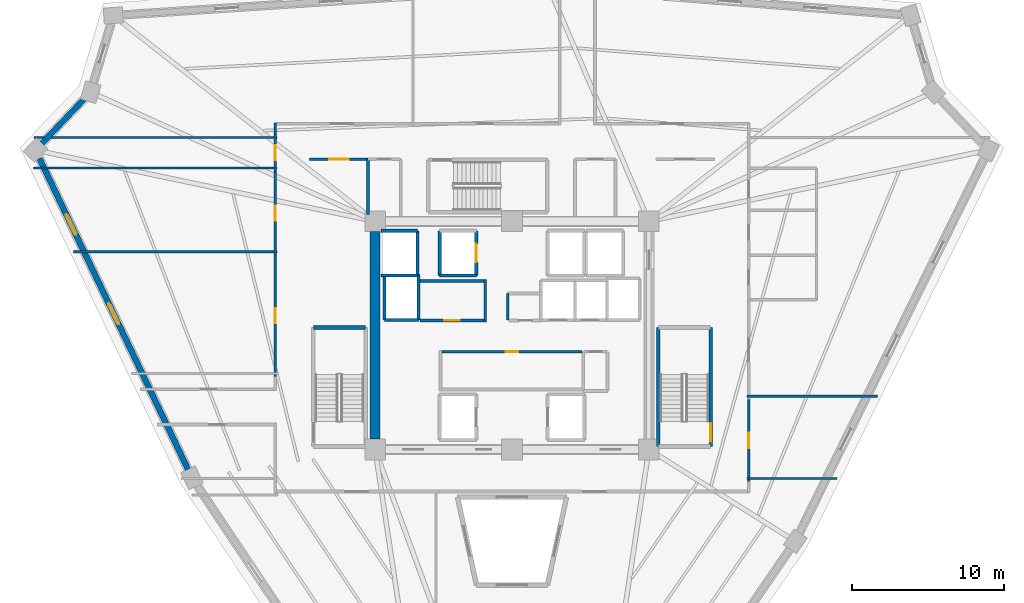
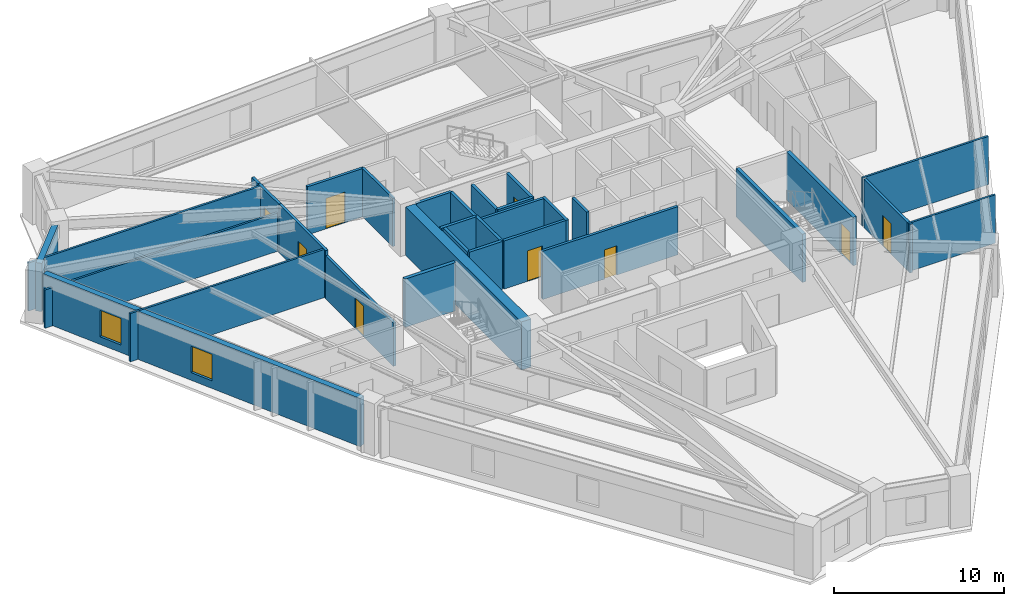
# One storey, part 4 of 8: 32 walls, 9 doors, 2 windows, 11 openings.
"""IFC4 building model written with IfcOpenShell, lengths in metres."""

from ifc_helpers import new_model, si_unit, direction, frame, frame_2d, origin, place, context, subcontext, project, spatial, rectangle, extrude, source, transform, mapped, material, layer, layer_set, type_object, element, fill, save


model = new_model("IFC4")

# Units and contexts
model_context = context("Model", 3, precision=1e-05, world=origin(), true_north=direction((0.0, 1.0)))
body_context = subcontext(model_context, "Body", "Model", "MODEL_VIEW")
ifc_project = project(units=[si_unit("LENGTHUNIT", "METRE"), si_unit("AREAUNIT", "SQUARE_METRE"), si_unit("VOLUMEUNIT", "CUBIC_METRE"), si_unit("PLANEANGLEUNIT", "RADIAN"), si_unit("MASSUNIT", "GRAM", prefix="KILO")], contexts=[model_context])

# Site, building, storey
site_placement = place(None, origin())
site = spatial("IfcSite", under=ifc_project, at=site_placement, CompositionType="ELEMENT")
building_placement = place(site_placement, origin())
building = spatial("IfcBuilding", under=site, at=building_placement, Name="Liaohun Quay Tower", CompositionType="ELEMENT")
storey_placement = place(building_placement, frame((0.0, 0.0, 273.75)))
storey = spatial("IfcBuildingStorey", under=building, at=storey_placement, Name="L71", CompositionType="ELEMENT", Elevation=273.75)

# Walls
ifc_material_1 = material(Name="Concrete C55", Category="concrete")
ifc_layer_1 = layer(ifc_material_1, 0.64990234375, Name="Concrete C55", Category="concrete")
ifc_layer_set_1 = layer_set([ifc_layer_1], Name="Concrete C55")
wall_type_1 = type_object("IfcWallType", Name="WAL-COR-Z3", PredefinedType="SHEAR", material=ifc_layer_set_1)
wall_1_placement = place(storey_placement, frame((51.0, 47.175048828125, 0.0), z_axis=(0.0, 0.0, 1.0), x_axis=(0.0, 1.0, 0.0)))
element("IfcWall", 1, at=wall_1_placement, inside=storey, type_object=wall_type_1, Name="L71 Central Core Shear Wall W", PredefinedType="SHEAR", context=body_context, shape_type="SweptSolid", body=[
    extrude(rectangle(XDim=13.64990234375, YDim=0.64990234375, at=frame_2d((6.824951171875, 0.0))), origin(), (0.0, 0.0, 1.0), 3.469970703125),
])
ifc_material_2 = material(Name="Precast concrete C50 insulated sandwich", Category="concrete")
ifc_layer_2 = layer(ifc_material_2, 0.3798828125, Name="Precast concrete C50 insulated sandwich", Category="concrete")
ifc_layer_set_2 = layer_set([ifc_layer_2], Name="Precast concrete C50 insulated sandwich")
wall_type_2 = type_object("IfcWallType", Name="WAL-EXT-Z34", PredefinedType="SOLIDWALL", material=ifc_layer_set_2)
wall_2_placement = place(storey_placement, frame((31.8779296875, 69.5458984375, 0.0), z_axis=(0.0, 0.0, 1.0), x_axis=(-0.689423828673, -0.724358187955, 0.0)))
element("IfcWall", 2, at=wall_2_placement, inside=storey, type_object=wall_type_2, Name="L71 Brutalist Precast Pier Wall 09", PredefinedType="SOLIDWALL", context=body_context, shape_type="SweptSolid", body=[
    extrude(rectangle(XDim=4.032470703125, YDim=0.3798828125, at=frame_2d((2.01611328125, 0.0))), origin(), (0.0, 0.0, 1.0), 3.469970703125),
])

# Wall, openings, windows
wall_3_placement = place(storey_placement, frame((28.93896484375, 65.6240234375, 0.0), z_axis=(0.0, 0.0, 1.0), x_axis=(0.431066278959, -0.902320266393, 0.0)))
wall_3 = element("IfcWall", 3, at=wall_3_placement, inside=storey, type_object=wall_type_2, Name="L71 Brutalist Precast Pier Wall 10", PredefinedType="SOLIDWALL", context=body_context, shape_type="SweptSolid", body=[
    extrude(rectangle(XDim=22.6416015625, YDim=0.3798828125, at=frame_2d((11.32080078125, 0.0))), origin(), (0.0, 0.0, 1.0), 3.469970703125),
])
shared_shape_1 = source(origin(), body_context, "Body", "SweptSolid", [
    extrude(rectangle(XDim=1.5, YDim=1.89990234375, at=frame_2d((0.75, 0.949951171875))), frame((0.0, 0.199951171875, 0.0), z_axis=(0.0, -1.0, 0.0), x_axis=(1.0, 0.0, 0.0)), (0.0, 0.0, 1.0), 0.39990234375),
])
opening_1_placement = place(wall_3_placement, frame((4.06005859375, 0.0, 0.550048828125)))
opening_1 = element("IfcOpeningElement", 4, at=opening_1_placement, cuts=wall_3, Name="Opening W03", PredefinedType="OPENING", context=body_context, shape_type="MappedRepresentation", body=[
    mapped(shared_shape_1, transform((0.0, 0.0, 0.0), x_axis=(1.0, 0.0, 0.0), y_axis=(0.0, 1.0, 0.0), z_axis=(0.0, 0.0, 1.0), scale=1.0)),
])
opening_2_placement = place(wall_3_placement, frame((10.571044921875, 0.0, 0.550048828125)))
opening_2 = element("IfcOpeningElement", 5, at=opening_2_placement, cuts=wall_3, Name="Opening W03", PredefinedType="OPENING", context=body_context, shape_type="MappedRepresentation", body=[
    mapped(shared_shape_1, transform((0.0, 0.0, 0.0), x_axis=(1.0, 0.0, 0.0), y_axis=(0.0, 1.0, 0.0), z_axis=(0.0, 0.0, 1.0), scale=1.0)),
])
ifc_material_3 = material(Name="Triple Low-E argon glazing in thermally broken aluminium", Category="aluminium")
window_type = type_object("IfcWindowType", Name="WIN-PUN-Z3", PartitioningType="DOUBLE_PANEL_VERTICAL", PredefinedType="WINDOW", material=ifc_material_3)
shared_shape_2 = source(origin(), body_context, "Body", "SweptSolid", [
    extrude(rectangle(XDim=1.5, YDim=1.89990234375, at=frame_2d((0.75, 0.949951171875))), frame((0.0, 0.030029296875, 0.0), z_axis=(0.0, -1.0, 0.0), x_axis=(1.0, 0.0, 0.0)), (0.0, 0.0, 1.0), 0.06005859375),
])
window_1_placement = place(opening_1_placement, origin())
window_1 = element("IfcWindow", 6, at=window_1_placement, inside=storey, type_object=window_type, Name="L71 Recessed Cold-Climate Punched Window 10-1", OverallHeight=1.89990234375, OverallWidth=1.5, PartitioningType="DOUBLE_PANEL_VERTICAL", PredefinedType="WINDOW", context=body_context, shape_type="MappedRepresentation", body=[
    mapped(shared_shape_2, transform((0.0, 0.0, 0.0), x_axis=(1.0, 0.0, 0.0), y_axis=(0.0, 1.0, 0.0), z_axis=(0.0, 0.0, 1.0), scale=1.0)),
])
fill(opening_1, window_1)
window_2_placement = place(opening_2_placement, origin())
window_2 = element("IfcWindow", 7, at=window_2_placement, inside=storey, type_object=window_type, Name="L71 Recessed Cold-Climate Punched Window 10-2", OverallHeight=1.89990234375, OverallWidth=1.5, PartitioningType="DOUBLE_PANEL_VERTICAL", PredefinedType="WINDOW", context=body_context, shape_type="MappedRepresentation", body=[
    mapped(shared_shape_2, transform((0.0, 0.0, 0.0), x_axis=(1.0, 0.0, 0.0), y_axis=(0.0, 1.0, 0.0), z_axis=(0.0, 0.0, 1.0), scale=1.0)),
])
fill(opening_2, window_2)

# Wall, opening, door
ifc_material_4 = material(Name="Autoclaved aerated concrete blockwork", Category="masonry")
ifc_layer_3 = layer(ifc_material_4, 0.179931640625, Name="Autoclaved aerated concrete blockwork", Category="masonry")
ifc_layer_set_3 = layer_set([ifc_layer_3], Name="Autoclaved aerated concrete blockwork")
wall_type_3 = type_object("IfcWallType", Name="WAL-PRT-COR", PredefinedType="PARTITIONING", material=ifc_layer_set_3)
wall_4_placement = place(storey_placement, frame((55.389892578125, 52.919921875, 0.0), z_axis=(0.0, 0.0, 1.0), x_axis=(1.0, 0.0, 0.0)))
wall_4 = element("IfcWall", 8, at=wall_4_placement, inside=storey, type_object=wall_type_3, Name="L71 Interior Partition Wall 001", PredefinedType="PARTITIONING", context=body_context, shape_type="SweptSolid", body=[
    extrude(rectangle(XDim=9.210205078125, YDim=0.179931640625, at=frame_2d((4.60498046875, 0.0))), origin(), (0.0, 0.0, 1.0), 3.469970703125),
])
shared_shape_3 = source(origin(), body_context, "Body", "SweptSolid", [
    extrude(rectangle(XDim=0.85009765625, YDim=2.10009765625, at=frame_2d((0.425048828125, 1.050048828125))), frame((0.0, 0.099853515625, 0.0), z_axis=(0.0, -1.0, 0.0), x_axis=(1.0, 0.0, 0.0)), (0.0, 0.0, 1.0), 0.199951171875),
])
opening_3_placement = place(wall_4_placement, frame((4.18505859375, 0.0, 0.0)))
opening_3 = element("IfcOpeningElement", 9, at=opening_3_placement, cuts=wall_4, Name="Opening AD1", PredefinedType="OPENING", context=body_context, shape_type="MappedRepresentation", body=[
    mapped(shared_shape_3, transform((0.0, 0.0, 0.0), x_axis=(1.0, 0.0, 0.0), y_axis=(0.0, 1.0, 0.0), z_axis=(0.0, 0.0, 1.0), scale=1.0)),
])
ifc_material_5 = material(Name="Steel riser inspection fire door", Category="steel")
door_type_1 = type_object("IfcDoorType", Name="DOR-SHF-850", OperationType="NOTDEFINED", PredefinedType="DOOR", material=ifc_material_5)
shared_shape_4 = source(origin(), body_context, "Body", "SweptSolid", [
    extrude(rectangle(XDim=0.85009765625, YDim=2.10009765625, at=frame_2d((0.425048828125, 1.050048828125))), frame((0.0, 0.02490234375, 0.0), z_axis=(0.0, -1.0, 0.0), x_axis=(1.0, 0.0, 0.0)), (0.0, 0.0, 1.0), 0.050048828125),
])
door_1_placement = place(opening_3_placement, origin())
door_1 = element("IfcDoor", 10, at=door_1_placement, inside=storey, type_object=door_type_1, Name="L71 Core Tenant Storage and Archive Room Door", OperationType="SINGLE_SWING_RIGHT", OverallHeight=2.10009765625, OverallWidth=0.85009765625, PredefinedType="DOOR", context=body_context, shape_type="MappedRepresentation", body=[
    mapped(shared_shape_4, transform((0.0, 0.0, 0.0), x_axis=(1.0, 0.0, 0.0), y_axis=(0.0, 1.0, 0.0), z_axis=(0.0, 0.0, 1.0), scale=1.0)),
])
fill(opening_3, door_1)

wall_5_placement = place(storey_placement, frame((53.949951171875, 54.97998046875, 0.0), z_axis=(0.0, 0.0, 1.0), x_axis=(1.0, 0.0, 0.0)))
wall_5 = element("IfcWall", 11, at=wall_5_placement, inside=storey, type_object=wall_type_3, Name="L71 Interior Partition Wall 002", PredefinedType="PARTITIONING", context=body_context, shape_type="SweptSolid", body=[
    extrude(rectangle(XDim=4.2099609375, YDim=0.179931640625, at=frame_2d((2.10498046875, 0.0))), origin(), (0.0, 0.0, 1.0), 3.469970703125),
])
shared_shape_5 = source(origin(), body_context, "Body", "SweptSolid", [
    extrude(rectangle(XDim=1.0, YDim=2.199951171875, at=frame_2d((0.5, 1.10009765625))), frame((0.0, 0.099853515625, 0.0), z_axis=(0.0, -1.0, 0.0), x_axis=(1.0, 0.0, 0.0)), (0.0, 0.0, 1.0), 0.199951171875),
])
opening_4_placement = place(wall_5_placement, frame((1.60009765625, 0.0, 0.0)))
opening_4 = element("IfcOpeningElement", 12, at=opening_4_placement, cuts=wall_5, Name="Opening OD1", PredefinedType="OPENING", context=body_context, shape_type="MappedRepresentation", body=[
    mapped(shared_shape_5, transform((0.0, 0.0, 0.0), x_axis=(1.0, 0.0, 0.0), y_axis=(0.0, 1.0, 0.0), z_axis=(0.0, 0.0, 1.0), scale=1.0)),
])
ifc_material_6 = material(Name="Solid-core oak veneer timber leaf in steel frame", Category="steel")
door_type_2 = type_object("IfcDoorType", Name="DOR-OFF-1000", OperationType="NOTDEFINED", PredefinedType="DOOR", material=ifc_material_6)
shared_shape_6 = source(origin(), body_context, "Body", "SweptSolid", [
    extrude(rectangle(XDim=1.0, YDim=2.199951171875, at=frame_2d((0.5, 1.10009765625))), frame((0.0, 0.02490234375, 0.0), z_axis=(0.0, -1.0, 0.0), x_axis=(1.0, 0.0, 0.0)), (0.0, 0.0, 1.0), 0.050048828125),
])
door_2_placement = place(opening_4_placement, origin())
door_2 = element("IfcDoor", 13, at=door_2_placement, inside=storey, type_object=door_type_2, Name="L71 Core Staff Pantry and Tea Room Door", OperationType="SINGLE_SWING_LEFT", OverallHeight=2.199951171875, OverallWidth=1.0, PredefinedType="DOOR", context=body_context, shape_type="MappedRepresentation", body=[
    mapped(shared_shape_6, transform((0.0, 0.0, 0.0), x_axis=(1.0, 0.0, 0.0), y_axis=(0.0, 1.0, 0.0), z_axis=(0.0, 0.0, 1.0), scale=1.0)),
])
fill(opening_4, door_2)

wall_6_placement = place(storey_placement, frame((46.699951171875, 65.580078125, 0.0), z_axis=(0.0, 0.0, 1.0), x_axis=(1.0, 0.0, 0.0)))
wall_6 = element("IfcWall", 14, at=wall_6_placement, inside=storey, type_object=wall_type_3, Name="L71 Interior Partition Wall 010", PredefinedType="PARTITIONING", context=body_context, shape_type="SweptSolid", body=[
    extrude(rectangle(XDim=3.840087890625, YDim=0.179931640625, at=frame_2d((1.919921875, 0.0))), origin(), (0.0, 0.0, 1.0), 3.469970703125),
])
shared_shape_7 = source(origin(), body_context, "Body", "SweptSolid", [
    extrude(rectangle(XDim=1.300048828125, YDim=2.199951171875, at=frame_2d((0.64990234375, 1.10009765625))), frame((0.0, 0.099853515625, 0.0), z_axis=(0.0, -1.0, 0.0), x_axis=(1.0, 0.0, 0.0)), (0.0, 0.0, 1.0), 0.199951171875),
])
opening_5_placement = place(wall_6_placement, frame((1.27001953125, 0.0, 0.0)))
opening_5 = element("IfcOpeningElement", 15, at=opening_5_placement, cuts=wall_6, Name="Opening FD1", PredefinedType="OPENING", context=body_context, shape_type="MappedRepresentation", body=[
    mapped(shared_shape_7, transform((0.0, 0.0, 0.0), x_axis=(1.0, 0.0, 0.0), y_axis=(0.0, 1.0, 0.0), z_axis=(0.0, 0.0, 1.0), scale=1.0)),
])
ifc_material_7 = material(Name="Galvanised steel smokeproof fire door", Category="steel")
door_type_3 = type_object("IfcDoorType", Name="DOR-FFL-1300", OperationType="NOTDEFINED", PredefinedType="DOOR", material=ifc_material_7)
shared_shape_8 = source(origin(), body_context, "Body", "SweptSolid", [
    extrude(rectangle(XDim=1.300048828125, YDim=2.199951171875, at=frame_2d((0.64990234375, 1.10009765625))), frame((0.0, 0.02490234375, 0.0), z_axis=(0.0, -1.0, 0.0), x_axis=(1.0, 0.0, 0.0)), (0.0, 0.0, 1.0), 0.050048828125),
])
door_3_placement = place(opening_5_placement, origin())
door_3 = element("IfcDoor", 16, at=door_3_placement, inside=storey, type_object=door_type_3, Name="L71 West Core Vestibule Door", OperationType="SINGLE_SWING_LEFT", OverallHeight=2.199951171875, OverallWidth=1.300048828125, PredefinedType="DOOR", context=body_context, shape_type="MappedRepresentation", body=[
    mapped(shared_shape_8, transform((0.0, 0.0, 0.0), x_axis=(1.0, 0.0, 0.0), y_axis=(0.0, 1.0, 0.0), z_axis=(0.0, 0.0, 1.0), scale=1.0)),
])
fill(opening_5, door_3)

wall_7_placement = place(storey_placement, frame((44.43994140625, 64.784912109375, 0.0), z_axis=(0.0, 0.0, 1.0), x_axis=(0.0, 1.0, 0.0)))
wall_7 = element("IfcWall", 17, at=wall_7_placement, inside=storey, type_object=wall_type_3, Name="L71 Interior Partition Wall 016", PredefinedType="PARTITIONING", context=body_context, shape_type="SweptSolid", body=[
    extrude(rectangle(XDim=2.43017578125, YDim=0.179931640625, at=frame_2d((1.215087890625, 0.0))), origin(), (0.0, 0.0, 1.0), 3.469970703125),
])
opening_6_placement = place(wall_7_placement, frame((0.715087890625, 0.0, 0.0)))
opening_6 = element("IfcOpeningElement", 18, at=opening_6_placement, cuts=wall_7, Name="Opening OD1", PredefinedType="OPENING", context=body_context, shape_type="MappedRepresentation", body=[
    mapped(shared_shape_5, transform((0.0, 0.0, 0.0), x_axis=(1.0, 0.0, 0.0), y_axis=(0.0, 1.0, 0.0), z_axis=(0.0, 0.0, 1.0), scale=1.0)),
])
door_4_placement = place(opening_6_placement, origin())
door_4 = element("IfcDoor", 19, at=door_4_placement, inside=storey, type_object=door_type_2, Name="L71 Corporate Exhibition Gallery 05 Door", OperationType="SINGLE_SWING_LEFT", OverallHeight=2.199951171875, OverallWidth=1.0, PredefinedType="DOOR", context=body_context, shape_type="MappedRepresentation", body=[
    mapped(shared_shape_6, transform((0.0, 0.0, 0.0), x_axis=(1.0, 0.0, 0.0), y_axis=(0.0, 1.0, 0.0), z_axis=(0.0, 0.0, 1.0), scale=1.0)),
])
fill(opening_6, door_4)

wall_8_placement = place(storey_placement, frame((44.43994140625, 59.284912109375, 0.0), z_axis=(0.0, 0.0, 1.0), x_axis=(0.0, 1.0, 0.0)))
wall_8 = element("IfcWall", 20, at=wall_8_placement, inside=storey, type_object=wall_type_3, Name="L71 Interior Partition Wall 017", PredefinedType="PARTITIONING", context=body_context, shape_type="SweptSolid", body=[
    extrude(rectangle(XDim=5.5, YDim=0.179931640625, at=frame_2d((2.75, 0.0))), origin(), (0.0, 0.0, 1.0), 3.469970703125),
])
opening_7_placement = place(wall_8_placement, frame((2.25, 0.0, 0.0)))
opening_7 = element("IfcOpeningElement", 21, at=opening_7_placement, cuts=wall_8, Name="Opening OD1", PredefinedType="OPENING", context=body_context, shape_type="MappedRepresentation", body=[
    mapped(shared_shape_5, transform((0.0, 0.0, 0.0), x_axis=(1.0, 0.0, 0.0), y_axis=(0.0, 1.0, 0.0), z_axis=(0.0, 0.0, 1.0), scale=1.0)),
])
door_5_placement = place(opening_7_placement, origin())
door_5 = element("IfcDoor", 22, at=door_5_placement, inside=storey, type_object=door_type_2, Name="L71 Staff Tea Kitchen and Pantry 06 Door", OperationType="SINGLE_SWING_RIGHT", OverallHeight=2.199951171875, OverallWidth=1.0, PredefinedType="DOOR", context=body_context, shape_type="MappedRepresentation", body=[
    mapped(shared_shape_6, transform((0.0, 0.0, 0.0), x_axis=(1.0, 0.0, 0.0), y_axis=(0.0, 1.0, 0.0), z_axis=(0.0, 0.0, 1.0), scale=1.0)),
])
fill(opening_7, door_5)

wall_9_placement = place(storey_placement, frame((44.43994140625, 51.284912109375, 0.0), z_axis=(0.0, 0.0, 1.0), x_axis=(0.0, 1.0, 0.0)))
wall_9 = element("IfcWall", 23, at=wall_9_placement, inside=storey, type_object=wall_type_3, Name="L71 Interior Partition Wall 018", PredefinedType="PARTITIONING", context=body_context, shape_type="SweptSolid", body=[
    extrude(rectangle(XDim=8.0, YDim=0.179931640625, at=frame_2d((4.0, 0.0))), origin(), (0.0, 0.0, 1.0), 3.10498046875),
])
opening_8_placement = place(wall_9_placement, frame((3.5, 0.0, 0.0)))
opening_8 = element("IfcOpeningElement", 24, at=opening_8_placement, cuts=wall_9, Name="Opening OD1", PredefinedType="OPENING", context=body_context, shape_type="MappedRepresentation", body=[
    mapped(shared_shape_5, transform((0.0, 0.0, 0.0), x_axis=(1.0, 0.0, 0.0), y_axis=(0.0, 1.0, 0.0), z_axis=(0.0, 0.0, 1.0), scale=1.0)),
])
door_6_placement = place(opening_8_placement, origin())
door_6 = element("IfcDoor", 25, at=door_6_placement, inside=storey, type_object=door_type_2, Name="L71 Digital Prototyping Laboratory 07 Door", OperationType="SINGLE_SWING_LEFT", OverallHeight=2.199951171875, OverallWidth=1.0, PredefinedType="DOOR", context=body_context, shape_type="MappedRepresentation", body=[
    mapped(shared_shape_6, transform((0.0, 0.0, 0.0), x_axis=(1.0, 0.0, 0.0), y_axis=(0.0, 1.0, 0.0), z_axis=(0.0, 0.0, 1.0), scale=1.0)),
])
fill(opening_8, door_6)

wall_10_placement = place(storey_placement, frame((75.56005859375, 49.784912109375, 0.0), z_axis=(0.0, 0.0, 1.0), x_axis=(0.0, -1.0, 0.0)))
wall_10 = element("IfcWall", 26, at=wall_10_placement, inside=storey, type_object=wall_type_3, Name="L71 Interior Partition Wall 023", PredefinedType="PARTITIONING", context=body_context, shape_type="SweptSolid", body=[
    extrude(rectangle(XDim=5.39990234375, YDim=0.179931640625, at=frame_2d((2.699951171875, 0.0))), origin(), (0.0, 0.0, 1.0), 3.469970703125),
])
opening_9_placement = place(wall_10_placement, frame((2.199951171875, 0.0, 0.0)))
opening_9 = element("IfcOpeningElement", 27, at=opening_9_placement, cuts=wall_10, Name="Opening OD1", PredefinedType="OPENING", context=body_context, shape_type="MappedRepresentation", body=[
    mapped(shared_shape_5, transform((0.0, 0.0, 0.0), x_axis=(1.0, 0.0, 0.0), y_axis=(0.0, 1.0, 0.0), z_axis=(0.0, 0.0, 1.0), scale=1.0)),
])
door_7_placement = place(opening_9_placement, origin())
door_7 = element("IfcDoor", 28, at=door_7_placement, inside=storey, type_object=door_type_2, Name="L71 Client Reception Office 12 Door", OperationType="SINGLE_SWING_RIGHT", OverallHeight=2.199951171875, OverallWidth=1.0, PredefinedType="DOOR", context=body_context, shape_type="MappedRepresentation", body=[
    mapped(shared_shape_6, transform((0.0, 0.0, 0.0), x_axis=(1.0, 0.0, 0.0), y_axis=(0.0, 1.0, 0.0), z_axis=(0.0, 0.0, 1.0), scale=1.0)),
])
fill(opening_9, door_7)

# Walls
wall_11_placement = place(storey_placement, frame((59.719970703125, 55.02001953125, 0.0), z_axis=(0.0, 0.0, 1.0), x_axis=(0.0, 1.0, 0.0)))
element("IfcWall", 29, at=wall_11_placement, inside=storey, type_object=wall_type_3, Name="L71 Interior Partition Wall 024", PredefinedType="PARTITIONING", context=body_context, shape_type="SweptSolid", body=[
    extrude(rectangle(XDim=1.72998046875, YDim=0.179931640625, at=frame_2d((0.864990234375, 0.0))), origin(), (0.0, 0.0, 1.0), 3.469970703125),
])
wall_12_placement = place(storey_placement, frame((50.5400390625, 61.949951171875, 0.0), z_axis=(0.0, 0.0, 1.0), x_axis=(0.0, 1.0, 0.0)))
element("IfcWall", 30, at=wall_12_placement, inside=storey, type_object=wall_type_3, Name="L71 Interior Partition Wall 034", PredefinedType="PARTITIONING", context=body_context, shape_type="SweptSolid", body=[
    extrude(rectangle(XDim=3.630126953125, YDim=0.179931640625, at=frame_2d((1.81494140625, 0.0))), origin(), (0.0, 0.0, 1.0), 3.469970703125),
])
wall_13_placement = place(storey_placement, frame((44.43994140625, 67.215087890625, 0.0), z_axis=(0.0, 0.0, 1.0), x_axis=(0.0, 1.0, 0.0)))
element("IfcWall", 31, at=wall_13_placement, inside=storey, type_object=wall_type_3, Name="L71 Interior Partition Wall 042", PredefinedType="PARTITIONING", context=body_context, shape_type="SweptSolid", body=[
    extrude(rectangle(XDim=0.764892578125, YDim=0.179931640625, at=frame_2d((0.38232421875, 0.0))), origin(), (0.0, 0.0, 1.0), 3.469970703125),
])
wall_14_placement = place(storey_placement, frame((58.25, 54.889892578125, 0.0), z_axis=(0.0, 0.0, 1.0), x_axis=(0.0, 1.0, 0.0)))
element("IfcWall", 32, at=wall_14_placement, inside=storey, type_object=wall_type_3, Name="L71 Interior Partition Wall 060", PredefinedType="PARTITIONING", context=body_context, shape_type="SweptSolid", body=[
    extrude(rectangle(XDim=2.780029296875, YDim=0.179931640625, at=frame_2d((1.39013671875, 0.0))), origin(), (0.0, 0.0, 1.0), 3.469970703125),
])
wall_15_placement = place(storey_placement, frame((53.949951171875, 57.580078125, 0.0), z_axis=(0.0, 0.0, 1.0), x_axis=(1.0, 0.0, 0.0)))
element("IfcWall", 33, at=wall_15_placement, inside=storey, type_object=wall_type_3, Name="L71 Interior Partition Wall 061", PredefinedType="PARTITIONING", context=body_context, shape_type="SweptSolid", body=[
    extrude(rectangle(XDim=4.2099609375, YDim=0.179931640625, at=frame_2d((2.10498046875, 0.0))), origin(), (0.0, 0.0, 1.0), 3.469970703125),
])
ifc_material_8 = material(Name="Gypsum board on twin steel studs", Category="steel")
ifc_layer_4 = layer(ifc_material_8, 0.139892578125, Name="Gypsum board on twin steel studs", Category="steel")
ifc_layer_set_4 = layer_set([ifc_layer_4], Name="Gypsum board on twin steel studs")
wall_type_4 = type_object("IfcWallType", Name="WAL-PRT-OFF", PredefinedType="PARTITIONING", material=ifc_layer_set_4)
wall_16_placement = place(storey_placement, frame((44.5400390625, 59.5, 0.0), z_axis=(0.0, 0.0, 1.0), x_axis=(-1.0, 0.0, 0.0)))
element("IfcWall", 34, at=wall_16_placement, inside=storey, type_object=wall_type_4, Name="L71 Interior Partition Wall 050", PredefinedType="PARTITIONING", context=body_context, shape_type="SweptSolid", body=[
    extrude(rectangle(XDim=13.373046875, YDim=0.139892578125, at=frame_2d((6.6865234375, 0.0))), origin(), (0.0, 0.0, 1.0), 3.469970703125),
])
wall_17_placement = place(storey_placement, frame((44.5400390625, 65.0, 0.0), z_axis=(0.0, 0.0, 1.0), x_axis=(-1.0, 0.0, 0.0)))
element("IfcWall", 35, at=wall_17_placement, inside=storey, type_object=wall_type_4, Name="L71 Interior Partition Wall 051", PredefinedType="PARTITIONING", context=body_context, shape_type="SweptSolid", body=[
    extrude(rectangle(XDim=16.0009765625, YDim=0.139892578125, at=frame_2d((8.00048828125, 0.0))), origin(), (0.0, 0.0, 1.0), 2.7548828125),
])
wall_18_placement = place(storey_placement, frame((44.5400390625, 67.0, 0.0), z_axis=(0.0, 0.0, 1.0), x_axis=(-1.0, 0.0, 0.0)))
element("IfcWall", 36, at=wall_18_placement, inside=storey, type_object=wall_type_4, Name="L71 Interior Partition Wall 052", PredefinedType="PARTITIONING", context=body_context, shape_type="SweptSolid", body=[
    extrude(rectangle(XDim=15.9541015625, YDim=0.139892578125, at=frame_2d((7.97705078125, 0.0))), origin(), (0.0, 0.0, 1.0), 3.469970703125),
])
wall_19_placement = place(storey_placement, frame((75.4599609375, 44.60009765625, 0.0), z_axis=(0.0, 0.0, 1.0), x_axis=(1.0, 0.0, 0.0)))
element("IfcWall", 37, at=wall_19_placement, inside=storey, type_object=wall_type_4, Name="L71 Interior Partition Wall 053", PredefinedType="PARTITIONING", context=body_context, shape_type="SweptSolid", body=[
    extrude(rectangle(XDim=5.91015625, YDim=0.139892578125, at=frame_2d((2.955078125, 0.0))), origin(), (0.0, 0.0, 1.0), 3.469970703125),
])
wall_20_placement = place(storey_placement, frame((75.4599609375, 50.0, 0.0), z_axis=(0.0, 0.0, 1.0), x_axis=(1.0, 0.0, 0.0)))
element("IfcWall", 38, at=wall_20_placement, inside=storey, type_object=wall_type_4, Name="L71 Interior Partition Wall 054", PredefinedType="PARTITIONING", context=body_context, shape_type="SweptSolid", body=[
    extrude(rectangle(XDim=8.574951171875, YDim=0.139892578125, at=frame_2d((4.28759765625, 0.0))), origin(), (0.0, 0.0, 1.0), 3.469970703125),
])
ifc_material_9 = material(Name="Concrete C50", Category="concrete")
ifc_layer_5 = layer(ifc_material_9, 0.239990234375, Name="Concrete C50", Category="concrete")
ifc_layer_set_5 = layer_set([ifc_layer_5], Name="Concrete C50")
wall_type_5 = type_object("IfcWallType", Name="WAL-SHF-200", PredefinedType="SOLIDWALL", material=ifc_layer_set_5)
wall_21_placement = place(storey_placement, frame((50.3798828125, 54.52001953125, 0.0), z_axis=(0.0, 0.0, 1.0), x_axis=(-1.0, 0.0, 0.0)))
element("IfcWall", 39, at=wall_21_placement, inside=storey, type_object=wall_type_5, Name="L71 Stairwell ST-1 Structural Core Wall N", PredefinedType="SOLIDWALL", context=body_context, shape_type="SweptSolid", body=[
    extrude(rectangle(XDim=3.43994140625, YDim=0.239990234375, at=frame_2d((1.719970703125, 0.0))), origin(), (0.0, 0.0, 1.0), 3.469970703125),
])

# Wall, opening, door
wall_22_placement = place(storey_placement, frame((73.06005859375, 46.699951171875, 0.0), z_axis=(0.0, 0.0, 1.0), x_axis=(0.0, 1.0, 0.0)))
wall_22 = element("IfcWall", 40, at=wall_22_placement, inside=storey, type_object=wall_type_5, Name="L71 Stairwell ST-2 Structural Core Wall E", PredefinedType="SOLIDWALL", context=body_context, shape_type="SweptSolid", body=[
    extrude(rectangle(XDim=7.820068359375, YDim=0.239990234375, at=frame_2d((3.91015625, 0.0))), origin(), (0.0, 0.0, 1.0), 3.469970703125),
])
shared_shape_9 = source(origin(), body_context, "Body", "SweptSolid", [
    extrude(rectangle(XDim=1.199951171875, YDim=2.199951171875, at=frame_2d((0.60009765625, 1.10009765625))), frame((0.0, 0.1298828125, 0.0), z_axis=(0.0, -1.0, 0.0), x_axis=(1.0, 0.0, 0.0)), (0.0, 0.0, 1.0), 0.260009765625),
])
opening_10_placement = place(wall_22_placement, frame((0.320068359375, 0.0, 0.0)))
opening_10 = element("IfcOpeningElement", 41, at=opening_10_placement, cuts=wall_22, Name="Opening SD1", PredefinedType="OPENING", context=body_context, shape_type="MappedRepresentation", body=[
    mapped(shared_shape_9, transform((0.0, 0.0, 0.0), x_axis=(1.0, 0.0, 0.0), y_axis=(0.0, 1.0, 0.0), z_axis=(0.0, 0.0, 1.0), scale=1.0)),
])
ifc_material_10 = material(Name="Galvanised steel fire door", Category="steel")
door_type_4 = type_object("IfcDoorType", Name="DOR-STR-1200", OperationType="NOTDEFINED", PredefinedType="DOOR", material=ifc_material_10)
shared_shape_10 = source(origin(), body_context, "Body", "SweptSolid", [
    extrude(rectangle(XDim=1.199951171875, YDim=2.199951171875, at=frame_2d((0.60009765625, 1.10009765625))), frame((0.0, 0.02490234375, 0.0), z_axis=(0.0, -1.0, 0.0), x_axis=(1.0, 0.0, 0.0)), (0.0, 0.0, 1.0), 0.050048828125),
])
door_8_placement = place(opening_10_placement, origin())
door_8 = element("IfcDoor", 42, at=door_8_placement, inside=storey, type_object=door_type_4, Name="L71 Protected Stair ST-2 Fire Door", OperationType="SINGLE_SWING_RIGHT", OverallHeight=2.199951171875, OverallWidth=1.199951171875, PredefinedType="DOOR", context=body_context, shape_type="MappedRepresentation", body=[
    mapped(shared_shape_10, transform((0.0, 0.0, 0.0), x_axis=(1.0, 0.0, 0.0), y_axis=(0.0, 1.0, 0.0), z_axis=(0.0, 0.0, 1.0), scale=1.0)),
])
fill(opening_10, door_8)

# Walls
wall_23_placement = place(storey_placement, frame((69.6201171875, 54.52001953125, 0.0), z_axis=(0.0, 0.0, 1.0), x_axis=(0.0, -1.0, 0.0)))
element("IfcWall", 43, at=wall_23_placement, inside=storey, type_object=wall_type_5, Name="L71 Stairwell ST-2 Structural Core Wall W", PredefinedType="SOLIDWALL", context=body_context, shape_type="SweptSolid", body=[
    extrude(rectangle(XDim=7.820068359375, YDim=0.239990234375, at=frame_2d((3.91015625, 0.0))), origin(), (0.0, 0.0, 1.0), 3.469970703125),
])
wall_24_placement = place(storey_placement, frame((55.25, 57.949951171875, 0.0), z_axis=(0.0, 0.0, 1.0), x_axis=(1.0, 0.0, 0.0)))
element("IfcWall", 44, at=wall_24_placement, inside=storey, type_object=wall_type_5, Name="L71 Lift FF-03 Hoistway Wall S", PredefinedType="SOLIDWALL", context=body_context, shape_type="SweptSolid", body=[
    extrude(rectangle(XDim=2.39990234375, YDim=0.199951171875, at=frame_2d((1.199951171875, 0.0))), origin(), (0.0, 0.0, 1.0), 3.469970703125),
])

# Wall, opening, door
wall_25_placement = place(storey_placement, frame((57.64990234375, 57.949951171875, 0.0), z_axis=(0.0, 0.0, 1.0), x_axis=(0.0, 1.0, 0.0)))
wall_25 = element("IfcWall", 45, at=wall_25_placement, inside=storey, type_object=wall_type_5, Name="L71 Lift FF-03 Hoistway Wall E", PredefinedType="SOLIDWALL", context=body_context, shape_type="SweptSolid", body=[
    extrude(rectangle(XDim=2.929931640625, YDim=0.199951171875, at=frame_2d((1.46484375, 0.0))), origin(), (0.0, 0.0, 1.0), 3.469970703125),
])
shared_shape_11 = source(origin(), body_context, "Body", "SweptSolid", [
    extrude(rectangle(XDim=1.199951171875, YDim=2.300048828125, at=frame_2d((0.60009765625, 1.14990234375))), frame((0.0, 0.10986328125, 0.0), z_axis=(0.0, -1.0, 0.0), x_axis=(1.0, 0.0, 0.0)), (0.0, 0.0, 1.0), 0.219970703125),
])
opening_11_placement = place(wall_25_placement, frame((0.864990234375, 0.0, 0.0)))
opening_11 = element("IfcOpeningElement", 46, at=opening_11_placement, cuts=wall_25, Name="Opening LD2", PredefinedType="OPENING", context=body_context, shape_type="MappedRepresentation", body=[
    mapped(shared_shape_11, transform((0.0, 0.0, 0.0), x_axis=(1.0, 0.0, 0.0), y_axis=(0.0, 1.0, 0.0), z_axis=(0.0, 0.0, 1.0), scale=1.0)),
])
ifc_material_11 = material(Name="Brushed stainless steel stretcher landing door", Category="steel")
door_type_5 = type_object("IfcDoorType", Name="DOR-LFT-1200", OperationType="SLIDING_TO_LEFT", PredefinedType="DOOR", material=ifc_material_11)
shared_shape_12 = source(origin(), body_context, "Body", "SweptSolid", [
    extrude(rectangle(XDim=1.199951171875, YDim=2.300048828125, at=frame_2d((0.60009765625, 1.14990234375))), frame((0.0, 0.02490234375, 0.0), z_axis=(0.0, -1.0, 0.0), x_axis=(1.0, 0.0, 0.0)), (0.0, 0.0, 1.0), 0.050048828125),
])
door_9_placement = place(opening_11_placement, origin())
door_9 = element("IfcDoor", 47, at=door_9_placement, inside=storey, type_object=door_type_5, Name="L71 Lift FF-03 Sliding Landing Door", OperationType="SLIDING_TO_LEFT", OverallHeight=2.300048828125, OverallWidth=1.199951171875, PredefinedType="DOOR", context=body_context, shape_type="MappedRepresentation", body=[
    mapped(shared_shape_12, transform((0.0, 0.0, 0.0), x_axis=(1.0, 0.0, 0.0), y_axis=(0.0, 1.0, 0.0), z_axis=(0.0, 0.0, 1.0), scale=1.0)),
])
fill(opening_11, door_9)

# Walls
wall_26_placement = place(storey_placement, frame((55.25, 60.8798828125, 0.0), z_axis=(0.0, 0.0, 1.0), x_axis=(0.0, -1.0, 0.0)))
element("IfcWall", 48, at=wall_26_placement, inside=storey, type_object=wall_type_5, Name="L71 Lift FF-03 Hoistway Wall W", PredefinedType="SOLIDWALL", context=body_context, shape_type="SweptSolid", body=[
    extrude(rectangle(XDim=2.929931640625, YDim=0.199951171875, at=frame_2d((1.46484375, 0.0))), origin(), (0.0, 0.0, 1.0), 3.469970703125),
])
wall_27_placement = place(storey_placement, frame((51.39990234375, 57.949951171875, 0.0), z_axis=(0.0, 0.0, 1.0), x_axis=(1.0, 0.0, 0.0)))
element("IfcWall", 49, at=wall_27_placement, inside=storey, type_object=wall_type_5, Name="L71 Lift SH-01 Hoistway Wall S", PredefinedType="SOLIDWALL", context=body_context, shape_type="SweptSolid", body=[
    extrude(rectangle(XDim=2.400146484375, YDim=0.199951171875, at=frame_2d((1.2001953125, 0.0))), origin(), (0.0, 0.0, 1.0), 3.469970703125),
])
wall_28_placement = place(storey_placement, frame((53.800048828125, 57.949951171875, 0.0), z_axis=(0.0, 0.0, 1.0), x_axis=(0.0, 1.0, 0.0)))
element("IfcWall", 50, at=wall_28_placement, inside=storey, type_object=wall_type_5, Name="L71 Lift SH-01 Hoistway Wall E", PredefinedType="SOLIDWALL", context=body_context, shape_type="SweptSolid", body=[
    extrude(rectangle(XDim=2.929931640625, YDim=0.199951171875, at=frame_2d((1.46484375, 0.0))), origin(), (0.0, 0.0, 1.0), 3.469970703125),
])
wall_29_placement = place(storey_placement, frame((53.800048828125, 60.8798828125, 0.0), z_axis=(0.0, 0.0, 1.0), x_axis=(-1.0, 0.0, 0.0)))
element("IfcWall", 51, at=wall_29_placement, inside=storey, type_object=wall_type_5, Name="L71 Lift SH-01 Hoistway Wall N", PredefinedType="SOLIDWALL", context=body_context, shape_type="SweptSolid", body=[
    extrude(rectangle(XDim=2.400146484375, YDim=0.199951171875, at=frame_2d((1.2001953125, 0.0))), origin(), (0.0, 0.0, 1.0), 3.469970703125),
])
wall_30_placement = place(storey_placement, frame((51.6201171875, 55.0, 0.0), z_axis=(0.0, 0.0, 1.0), x_axis=(1.0, 0.0, 0.0)))
element("IfcWall", 52, at=wall_30_placement, inside=storey, type_object=wall_type_5, Name="L71 Lift SH-02 Hoistway Wall S", PredefinedType="SOLIDWALL", context=body_context, shape_type="SweptSolid", body=[
    extrude(rectangle(XDim=2.22998046875, YDim=0.199951171875, at=frame_2d((1.114990234375, 0.0))), origin(), (0.0, 0.0, 1.0), 3.469970703125),
])
for number, where, z_axis, x_axis, name in (
    (53, (53.85009765625, 55.0, 0.0), (0.0, 0.0, 1.0), (0.0, 1.0, 0.0), "L71 Lift SH-02 Hoistway Wall E"),
    (54, (51.6201171875, 58.0, 0.0), (0.0, 0.0, 1.0), (0.0, -1.0, 0.0), "L71 Lift SH-02 Hoistway Wall W"),
):
    element("IfcWall", number, at=place(storey_placement, frame(where, z_axis=z_axis, x_axis=x_axis)), inside=storey, type_object=wall_type_5, Name=name, PredefinedType="SOLIDWALL", context=body_context, shape_type="SweptSolid", body=[
        extrude(rectangle(XDim=3.0, YDim=0.199951171875, at=frame_2d((1.5, 0.0))), origin(), (0.0, 0.0, 1.0), 3.469970703125),
    ])

save(model, "model.ifc")
